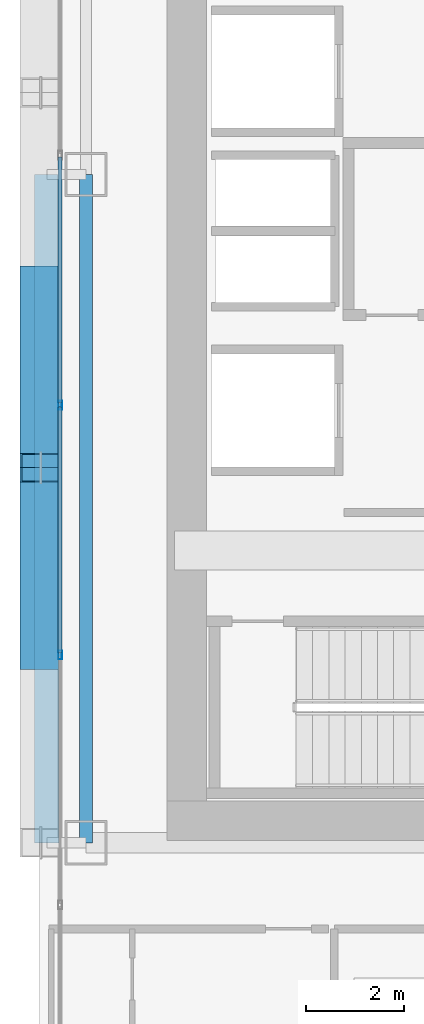
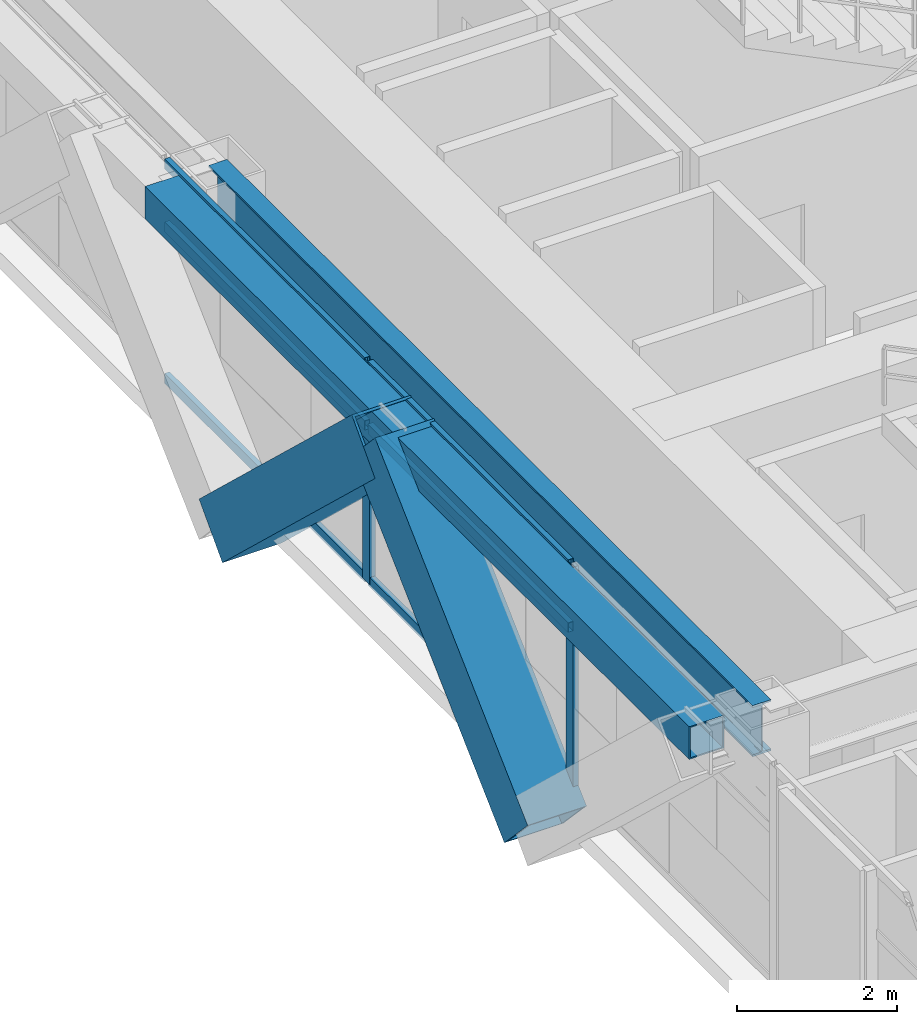
# One storey, part 6 of 38: 10 members, 2 beams, 1 element without a shape of its own.
"""IFC4 building model written with IfcOpenShell, lengths in metres."""

from ifc_helpers import new_model, si_unit, direction, frame, origin, origin_2d, place, context, subcontext, project, spatial, hollow_rectangle, i_section, extrude, source, transform, mapped, material, layer, layer_set, material_profile, profile_set, type_object, element, aggregate, save


model = new_model("IFC4")

# Units and contexts
model_context = context("Model", 3, precision=1e-05, world=origin(), true_north=direction((0.0, 1.0)))
body_context = subcontext(model_context, "Body", "Model", "MODEL_VIEW")
ifc_project = project(units=[si_unit("LENGTHUNIT", "METRE"), si_unit("AREAUNIT", "SQUARE_METRE"), si_unit("VOLUMEUNIT", "CUBIC_METRE"), si_unit("PLANEANGLEUNIT", "RADIAN"), si_unit("MASSUNIT", "GRAM", prefix="KILO")], contexts=[model_context])

# Site, building, storey
site_placement = place(None, origin())
site = spatial("IfcSite", under=ifc_project, at=site_placement, CompositionType="ELEMENT")
building_placement = place(site_placement, origin())
building = spatial("IfcBuilding", under=site, at=building_placement, Name="Ocotamira Hotel", CompositionType="ELEMENT")
storey_placement = place(building_placement, frame((0.0, 0.0, 60.0)))
storey = spatial("IfcBuildingStorey", under=building, at=storey_placement, Name="L14", CompositionType="ELEMENT", Elevation=60.0)

# Beams
ifc_material_1 = material(Name="Steel ASTM A992 Grade 50", Category="steel")
ifc_material_profile_1 = material_profile(ifc_material_1, i_section(OverallWidth=0.26611328125, OverallDepth=0.779052734375, WebThickness=0.0166015625, FlangeThickness=0.030029296875, FilletRadius=0.01806640625, at=origin_2d()), Name="W30X148")
ifc_profile_set_1 = profile_set([ifc_material_profile_1], Name="Steel ASTM A992 Grade 50")
beam_type_1 = type_object("IfcBeamType", Name="BM-GIRD-W30X148", PredefinedType="BEAM", material=ifc_profile_set_1)
shared_shape_1 = source(origin(), body_context, "Body", "SweptSolid", [
    extrude(i_section(OverallWidth=0.26611328125, OverallDepth=0.779052734375, WebThickness=0.0166015625, FlangeThickness=0.030029296875, FilletRadius=0.01806640625, at=origin_2d()), origin(), (0.0, 0.0, 1.0), 13.599853515625),
])
beam_1_placement = place(storey_placement, frame((8.949951171875, 14.550048828125, 2.96044921875), z_axis=(0.0, 1.0, 0.0), x_axis=(-1.0, 0.0, 0.0)))
element("IfcBeam", 1, at=beam_1_placement, inside=storey, type_object=beam_type_1, Name="L14 Beam X8.95 Y14.55-28.15", PredefinedType="BEAM", context=body_context, shape_type="MappedRepresentation", body=[
    mapped(shared_shape_1, transform((0.0, 0.0, 0.0), scale=1.0)),
])
ifc_material_2 = material(Name="Steel ASTM A500 Grade C", Category="steel")
ifc_material_profile_2 = material_profile(ifc_material_2, hollow_rectangle(XDim=0.5, YDim=0.5, WallThickness=0.02001953125, at=origin_2d()), Name="HSS500X500X20")
ifc_profile_set_2 = profile_set([ifc_material_profile_2], Name="Steel ASTM A500 Grade C")
beam_type_2 = type_object("IfcBeamType", Name="BM-SPAN-HSS500", PredefinedType="USERDEFINED", material=ifc_profile_set_2)
shared_shape_2 = source(origin(), body_context, "Body", "SweptSolid", [
    extrude(hollow_rectangle(XDim=0.5, YDim=0.5, WallThickness=0.02001953125, at=origin_2d()), origin(), (0.0, 0.0, 1.0), 13.599853515625),
])
beam_2_placement = place(storey_placement, frame((8.14990234375, 14.550048828125, 3.10009765625), z_axis=(0.0, 1.0, 0.0), x_axis=(-1.0, 0.0, 0.0)))
element("IfcBeam", 2, at=beam_2_placement, inside=storey, type_object=beam_type_2, Name="L14 Edge Spandrel W Y14.55-28.15", ObjectType="SPANDREL", PredefinedType="USERDEFINED", context=body_context, shape_type="MappedRepresentation", body=[
    mapped(shared_shape_2, transform((0.0, 0.0, 0.0), scale=1.0)),
])

# Members
ifc_material_3 = material(Name="Pale-metal coated steel ASTM A913 Grade 65", Category="steel")
ifc_material_profile_3 = material_profile(ifc_material_3, hollow_rectangle(XDim=0.85009765625, YDim=0.85009765625, WallThickness=0.035888671875, at=origin_2d()), Name="BOX850X850X36")
ifc_profile_set_3 = profile_set([ifc_material_profile_3], Name="Pale-metal coated steel ASTM A913 Grade 65")
member_type_1 = type_object("IfcMemberType", Name="MEM-EXO-BOX850", PredefinedType="BRACE", material=ifc_profile_set_3)
shared_shape_3 = source(origin(), body_context, "Body", "SweptSolid", [
    extrude(hollow_rectangle(XDim=0.85009765625, YDim=0.85009765625, WallThickness=0.035888671875, at=origin_2d()), origin(), (0.0, 0.0, 1.0), 5.24658203125),
])
for number, where, z_axis, x_axis, name in (
    (3, (8.030029296875, 18.36669921875, -0.5), (0.0, 0.727442733726, 0.686168397078), (-1.0, 0.0, 0.0), "L14 Exoskeleton Diagrid W0.2"),
    (4, (8.030029296875, 26.0, -0.5), (0.0, -0.727442733726, 0.686168397078), (1.0, 0.0, 0.0), "L14 Exoskeleton Diagrid W1.1"),
):
    element("IfcMember", number, at=place(storey_placement, frame(where, z_axis=z_axis, x_axis=x_axis)), inside=storey, type_object=member_type_1, Name=name, PredefinedType="BRACE", context=body_context, shape_type="MappedRepresentation", body=[
        mapped(shared_shape_3, transform((0.0, 0.0, 0.0), scale=1.0)),
    ])

# Curtain wall, members
ifc_material_4 = material(Name="Anodised pale-metal aluminium and solar glass", Category="aluminium")
ifc_layer = layer(ifc_material_4, 0.179931640625)
ifc_layer_set = layer_set([ifc_layer], Name="Anodised pale-metal aluminium and solar glass")
curtain_wall_type = type_object("IfcCurtainWallType", Name="CW-SYS2-Z1", PredefinedType="NOTDEFINED", material=ifc_layer_set)
curtain_wall_placement = place(storey_placement, origin())
curtain_wall = element("IfcCurtainWall", 5, at=curtain_wall_placement, inside=storey, type_object=curtain_wall_type, Name="L14 Curtain Wall CW-2 CW-L14-W", PredefinedType="NOTDEFINED")
ifc_material_5 = material(Name="Anodised pale-metal aluminium 6063-T6", Category="aluminium")
ifc_material_profile_4 = material_profile(ifc_material_5, hollow_rectangle(XDim=0.074951171875, YDim=0.14990234375, WallThickness=0.006103515625, at=origin_2d()), Name="HSS150X75X6")
ifc_profile_set_4 = profile_set([ifc_material_profile_4], Name="Anodised pale-metal aluminium 6063-T6")
member_type_2 = type_object("IfcMemberType", Name="CWT-150X75", PredefinedType="USERDEFINED", material=ifc_profile_set_4)
shared_shape_4 = source(origin(), body_context, "Body", "SweptSolid", [
    extrude(hollow_rectangle(XDim=0.074951171875, YDim=0.14990234375, WallThickness=0.006103515625, at=origin_2d()), origin(), (0.0, 0.0, 1.0), 5.005859375),
])
member_1_placement = place(storey_placement, frame((8.419921875, 18.411376953125, 0.03759765625), z_axis=(0.0, 1.0, 0.0), x_axis=(-1.0, 0.0, 0.0)))
member_1 = element("IfcMember", 6, at=member_1_placement, type_object=member_type_2, Name="CW-2 transom 3.1", ObjectType="TRANSOM", PredefinedType="USERDEFINED", context=body_context, shape_type="MappedRepresentation", body=[
    mapped(shared_shape_4, transform((0.0, 0.0, 0.0), scale=1.0)),
])
member_2_placement = place(storey_placement, frame((8.419921875, 18.411376953125, 2.35009765625), z_axis=(0.0, 1.0, 0.0), x_axis=(-1.0, 0.0, 0.0)))
member_2 = element("IfcMember", 7, at=member_2_placement, type_object=member_type_2, Name="CW-2 transom 3.2", ObjectType="TRANSOM", PredefinedType="USERDEFINED", context=body_context, shape_type="MappedRepresentation", body=[
    mapped(shared_shape_4, transform((0.0, 0.0, 0.0), scale=1.0)),
])
member_3_placement = place(storey_placement, frame((8.419921875, 18.411376953125, 3.3125), z_axis=(0.0, 1.0, 0.0), x_axis=(-1.0, 0.0, 0.0)))
member_3 = element("IfcMember", 8, at=member_3_placement, type_object=member_type_2, Name="CW-2 transom 3.3", ObjectType="TRANSOM", PredefinedType="USERDEFINED", context=body_context, shape_type="MappedRepresentation", body=[
    mapped(shared_shape_4, transform((0.0, 0.0, 0.0), scale=1.0)),
])
member_4_placement = place(storey_placement, frame((8.419921875, 23.4970703125, 0.03759765625), z_axis=(0.0, 1.0, 0.0), x_axis=(-1.0, 0.0, 0.0)))
member_4 = element("IfcMember", 9, at=member_4_placement, type_object=member_type_2, Name="CW-2 transom 4.1", ObjectType="TRANSOM", PredefinedType="USERDEFINED", context=body_context, shape_type="MappedRepresentation", body=[
    mapped(shared_shape_4, transform((0.0, 0.0, 0.0), scale=1.0)),
])
member_5_placement = place(storey_placement, frame((8.419921875, 23.4970703125, 2.35009765625), z_axis=(0.0, 1.0, 0.0), x_axis=(-1.0, 0.0, 0.0)))
member_5 = element("IfcMember", 10, at=member_5_placement, type_object=member_type_2, Name="CW-2 transom 4.2", ObjectType="TRANSOM", PredefinedType="USERDEFINED", context=body_context, shape_type="MappedRepresentation", body=[
    mapped(shared_shape_4, transform((0.0, 0.0, 0.0), scale=1.0)),
])
member_6_placement = place(storey_placement, frame((8.419921875, 23.4970703125, 3.3125), z_axis=(0.0, 1.0, 0.0), x_axis=(-1.0, 0.0, 0.0)))
member_6 = element("IfcMember", 11, at=member_6_placement, type_object=member_type_2, Name="CW-2 transom 4.3", ObjectType="TRANSOM", PredefinedType="USERDEFINED", context=body_context, shape_type="MappedRepresentation", body=[
    mapped(shared_shape_4, transform((0.0, 0.0, 0.0), scale=1.0)),
])
ifc_material_profile_5 = material_profile(ifc_material_5, hollow_rectangle(XDim=0.080078125, YDim=0.179931640625, WallThickness=0.006103515625, at=origin_2d()), Name="HSS180X80X6")
ifc_profile_set_5 = profile_set([ifc_material_profile_5], Name="Anodised pale-metal aluminium 6063-T6")
member_type_3 = type_object("IfcMemberType", Name="CWM-180X75", PredefinedType="MULLION", material=ifc_profile_set_5)
shared_shape_5 = source(origin(), body_context, "Body", "SweptSolid", [
    extrude(hollow_rectangle(XDim=0.080078125, YDim=0.179931640625, WallThickness=0.006103515625, at=origin_2d()), origin(), (0.0, 0.0, 1.0), 3.35009765625),
])
member_7_placement = place(storey_placement, frame((8.419921875, 18.371337890625, 0.0), z_axis=(0.0, 0.0, 1.0), x_axis=(-1.0, 0.0, 0.0)))
member_7 = element("IfcMember", 12, at=member_7_placement, type_object=member_type_3, Name="CW-2 mullion 3", PredefinedType="MULLION", context=body_context, shape_type="MappedRepresentation", body=[
    mapped(shared_shape_5, transform((0.0, 0.0, 0.0), scale=1.0)),
])
member_8_placement = place(storey_placement, frame((8.419921875, 23.45703125, 0.0), z_axis=(0.0, 0.0, 1.0), x_axis=(-1.0, 0.0, 0.0)))
member_8 = element("IfcMember", 13, at=member_8_placement, type_object=member_type_3, Name="CW-2 mullion 4", PredefinedType="MULLION", context=body_context, shape_type="MappedRepresentation", body=[
    mapped(shared_shape_5, transform((0.0, 0.0, 0.0), scale=1.0)),
])
aggregate(curtain_wall, [member_7, member_8, member_1, member_2, member_3, member_4, member_5, member_6])

save(model, "model.ifc")
